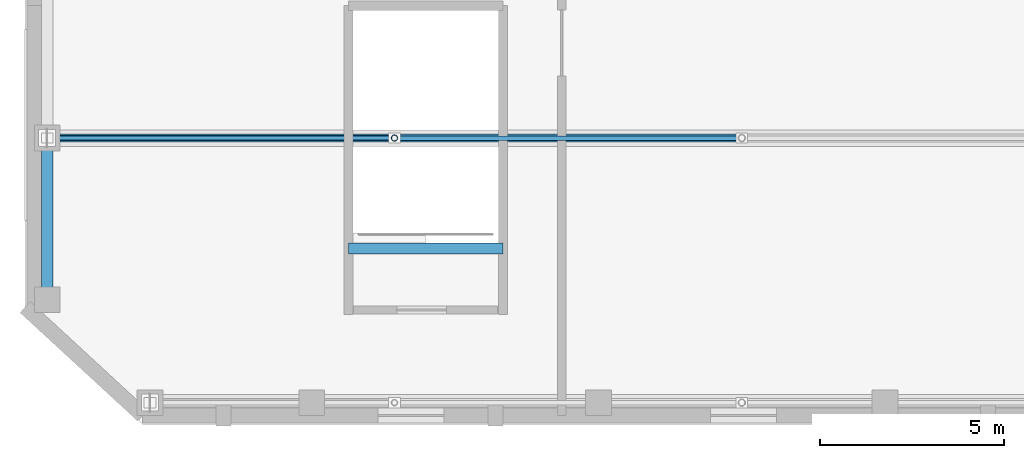
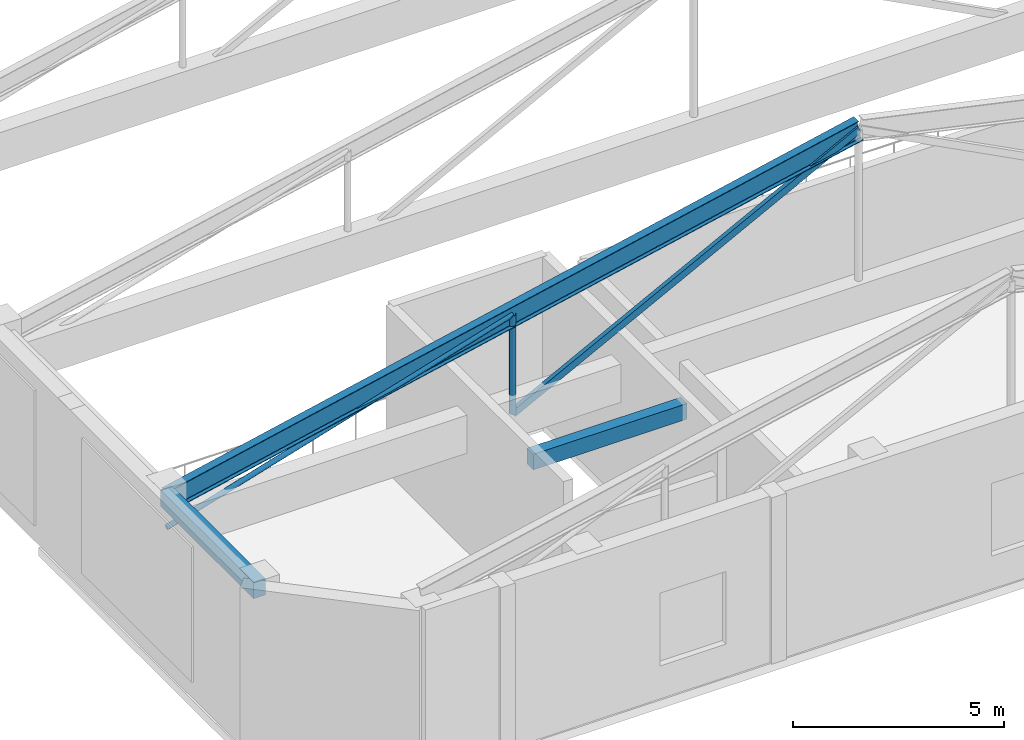
# One storey, part 15 of 105: 3 beams, 3 members.
"""IFC4 building model written with IfcOpenShell, lengths in metres."""

from ifc_helpers import new_model, si_unit, direction, frame, origin, origin_2d, place, context, subcontext, project, spatial, rectangle, hollow_rectangle, hollow_circle, i_section, extrude, material, material_profile, profile_set, type_object, element, save


model = new_model("IFC4")

# Units and contexts
model_context = context("Model", 3, precision=1e-05, world=origin(), true_north=direction((0.0, 1.0)))
body_context = subcontext(model_context, "Body", "Model", "MODEL_VIEW")
ifc_project = project(units=[si_unit("LENGTHUNIT", "METRE"), si_unit("AREAUNIT", "SQUARE_METRE"), si_unit("VOLUMEUNIT", "CUBIC_METRE"), si_unit("PLANEANGLEUNIT", "RADIAN"), si_unit("MASSUNIT", "GRAM", prefix="KILO")], contexts=[model_context])

# Site, building, storey
site_placement = place(None, origin())
site = spatial("IfcSite", under=ifc_project, at=site_placement, CompositionType="ELEMENT")
building_placement = place(site_placement, origin())
building = spatial("IfcBuilding", under=site, at=building_placement, Name="Pelvatis Terrace Science Centre", CompositionType="ELEMENT")
storey_placement = place(building_placement, frame((0.0, 0.0, 10.199951171875)))
storey = spatial("IfcBuildingStorey", under=building, at=storey_placement, Name="L02", CompositionType="ELEMENT", Elevation=10.199951171875)

# Beams
ifc_material_1 = material(Name="Concrete C35/45", Category="concrete")
ifc_material_profile_1 = material_profile(ifc_material_1, rectangle(XDim=0.300048828125, YDim=0.449951171875, at=origin_2d()), Name="RC-BM 300x450")
ifc_profile_set_1 = profile_set([ifc_material_profile_1], Name="Concrete C35/45")
beam_type_1 = type_object("IfcBeamType", Name="BM-RC-300x450", PredefinedType="BEAM", material=ifc_profile_set_1)
beam_1_placement = place(storey_placement, frame((16.60009765625, 75.0, 4.320068359375), z_axis=(1.0, 0.0, 0.0), x_axis=(0.0, 1.0, 0.0)))
element("IfcBeam", 1, at=beam_1_placement, inside=storey, type_object=beam_type_1, Name="Stair ST-07 header beam (L02)", PredefinedType="BEAM", context=body_context, shape_type="SweptSolid", body=[
    extrude(rectangle(XDim=0.300048828125, YDim=0.449951171875, at=origin_2d()), origin(), (0.0, 0.0, 1.0), 4.199951171875),
])
ifc_material_2 = material(Name="Concrete C35/45", Category="concrete")
ifc_material_profile_2 = material_profile(ifc_material_2, rectangle(XDim=0.320068359375, YDim=0.47998046875, at=origin_2d()), Name="RC-BM 320x480")
ifc_profile_set_2 = profile_set([ifc_material_profile_2], Name="Concrete C35/45")
beam_type_2 = type_object("IfcBeamType", Name="BM-RC-320x480", PredefinedType="BEAM", material=ifc_profile_set_2)
beam_2_placement = place(storey_placement, frame((8.39990234375, 78.0, 4.300048828125), z_axis=(0.0, -1.0, 0.0), x_axis=(1.0, 0.0, 0.0)))
element("IfcBeam", 2, at=beam_2_placement, inside=storey, type_object=beam_type_2, Name="Beam BM-L02-2882", PredefinedType="BEAM", context=body_context, shape_type="SweptSolid", body=[
    extrude(rectangle(XDim=0.320068359375, YDim=0.47998046875, at=origin_2d()), origin(), (0.0, 0.0, 1.0), 4.39990234375),
])
ifc_material_3 = material(Name="Structural steel S355", Category="steel")
ifc_material_profile_3 = material_profile(ifc_material_3, i_section(OverallWidth=0.22802734375, OverallDepth=0.60791015625, WebThickness=0.01123046875, FlangeThickness=0.017333984375, FilletRadius=0.01611328125, at=origin_2d()), Name="W610x113")
ifc_profile_set_3 = profile_set([ifc_material_profile_3], Name="Structural steel S355")
beam_type_3 = type_object("IfcBeamType", Name="BM-STL-W610x113", PredefinedType="BEAM", material=ifc_profile_set_3)
beam_3_placement = place(storey_placement, frame((8.39990234375, 78.0, 4.199951171875), z_axis=(0.977268898486, 0.0, 0.212003537831), x_axis=(0.0, 1.0, 0.0)))
element("IfcBeam", 3, at=beam_3_placement, inside=storey, type_object=beam_type_3, Name="Theatre roof truss 2 west top girder", PredefinedType="BEAM", context=body_context, shape_type="SweptSolid", body=[
    extrude(i_section(OverallWidth=0.22802734375, OverallDepth=0.60791015625, WebThickness=0.01123046875, FlangeThickness=0.017333984375, FilletRadius=0.01611328125, at=origin_2d()), origin(), (0.0, 0.0, 1.0), 19.33984375),
])

# Members
ifc_material_4 = material(Name="Structural steel S355", Category="steel")
ifc_material_profile_4 = material_profile(ifc_material_4, hollow_circle(Radius=0.06982421875, WallThickness=0.0048828125, at=origin_2d()), Name="CHS 139.7x5.0")
ifc_profile_set_4 = profile_set([ifc_material_profile_4], Name="Structural steel S355")
member_type_1 = type_object("IfcMemberType", Name="MEM-BRC-CHS140", PredefinedType="BRACE", material=ifc_profile_set_4)
member_1_placement = place(storey_placement, frame((8.39990234375, 78.0, 3.400146484375), z_axis=(0.95741275829, 0.0, 0.288722722112), x_axis=(0.0, 1.0, 0.0)))
element("IfcMember", 4, at=member_1_placement, inside=storey, type_object=member_type_1, Name="Theatre truss 2 web 3", PredefinedType="BRACE", context=body_context, shape_type="SweptSolid", body=[
    extrude(hollow_circle(Radius=0.06982421875, WallThickness=0.0048828125, at=origin_2d()), origin(), (0.0, 0.0, 1.0), 9.87060546875),
])
ifc_material_5 = material(Name="Structural steel S355", Category="steel")
ifc_material_profile_5 = material_profile(ifc_material_5, hollow_rectangle(XDim=0.1201171875, YDim=0.199951171875, WallThickness=0.00634765625, at=origin_2d()), Name="RHS 200x120x6.3")
ifc_profile_set_5 = profile_set([ifc_material_profile_5], Name="Structural steel S355")
member_type_2 = type_object("IfcMemberType", Name="MEM-BRC-RHS200", PredefinedType="BRACE", material=ifc_profile_set_5)
member_2_placement = place(storey_placement, frame((17.85009765625, 78.0, 3.400146484375), z_axis=(0.887757308466, 0.0, 0.46031180874), x_axis=(0.0, 1.0, 0.0)))
element("IfcMember", 5, at=member_2_placement, inside=storey, type_object=member_type_2, Name="Theatre truss 2 web 4", PredefinedType="BRACE", context=body_context, shape_type="SweptSolid", body=[
    extrude(hollow_rectangle(XDim=0.1201171875, YDim=0.199951171875, WallThickness=0.00634765625, at=origin_2d()), origin(), (0.0, 0.0, 1.0), 10.644775390625),
])
ifc_material_6 = material(Name="Structural steel S355", Category="steel")
ifc_material_profile_6 = material_profile(ifc_material_6, hollow_circle(Radius=0.084228515625, WallThickness=0.00634765625, at=origin_2d()), Name="CHS 168.3x6.3")
ifc_profile_set_6 = profile_set([ifc_material_profile_6], Name="Structural steel S355")
member_type_3 = type_object("IfcMemberType", Name="MEM-STR-CHS168", PredefinedType="STRUT", material=ifc_profile_set_6)
member_3_placement = place(storey_placement, frame((17.85009765625, 78.0, 3.400146484375), z_axis=(0.0, 0.0, 1.0), x_axis=(1.0, 0.0, 0.0)))
element("IfcMember", 6, at=member_3_placement, inside=storey, type_object=member_type_3, Name="Theatre truss 2 web 1", PredefinedType="STRUT", context=body_context, shape_type="SweptSolid", body=[
    extrude(hollow_circle(Radius=0.084228515625, WallThickness=0.00634765625, at=origin_2d()), origin(), (0.0, 0.0, 1.0), 2.849853515625),
])

save(model, "model.ifc")
